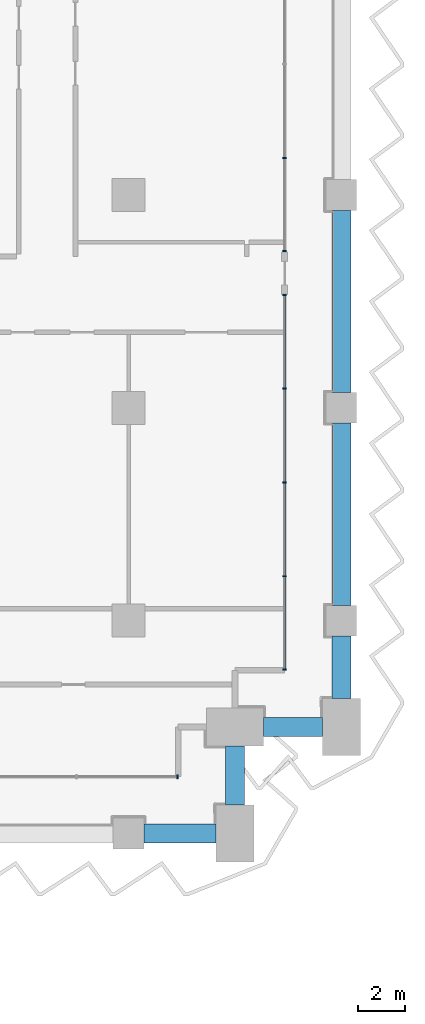
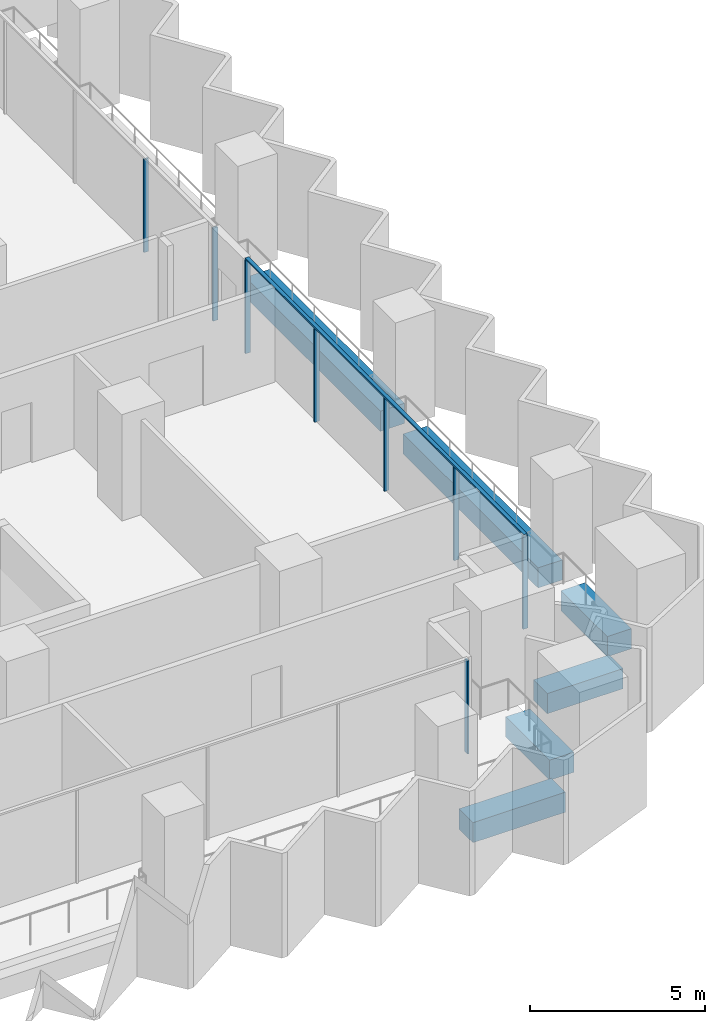
# One storey, part 6 of 29: 9 members, 6 beams, 3 elements without a shape of their own.
"""IFC4 building model written with IfcOpenShell, lengths in metres."""

from ifc_helpers import new_model, si_unit, direction, frame, origin, origin_2d, place, context, subcontext, project, spatial, rectangle, extrude, material, material_profile, profile_set, type_object, element, aggregate, save


model = new_model("IFC4")

# Units and contexts
model_context = context("Model", 3, precision=1e-05, world=origin(), true_north=direction((0.0, 1.0)))
body_context = subcontext(model_context, "Body", "Model", "MODEL_VIEW")
ifc_project = project(units=[si_unit("LENGTHUNIT", "METRE"), si_unit("AREAUNIT", "SQUARE_METRE"), si_unit("VOLUMEUNIT", "CUBIC_METRE"), si_unit("PLANEANGLEUNIT", "RADIAN"), si_unit("MASSUNIT", "GRAM", prefix="KILO")], contexts=[model_context])

# Site, building, storey
site_placement = place(None, origin())
site = spatial("IfcSite", under=ifc_project, at=site_placement, CompositionType="ELEMENT")
building_placement = place(site_placement, origin())
building = spatial("IfcBuilding", under=site, at=building_placement, Name="Hunhe Ridgeline Campus", CompositionType="ELEMENT")
storey_placement = place(building_placement, frame((0.0, 0.0, 69.10009765625)))
storey = spatial("IfcBuildingStorey", under=building, at=storey_placement, Name="L16", CompositionType="ELEMENT", Elevation=69.10009765625)

# Curtain wall, member
ifc_material_1 = material(Name="Aluminium 6063", Category="aluminium")
curtain_wall_type = type_object("IfcCurtainWallType", Name="Curtain wall CW-1", PredefinedType="NOTDEFINED", material=ifc_material_1)
curtain_wall_1_placement = place(storey_placement, origin())
curtain_wall_1 = element("IfcCurtainWall", 1, at=curtain_wall_1_placement, inside=storey, type_object=curtain_wall_type, Name="Curtain wall 13", PredefinedType="NOTDEFINED")
ifc_material_profile_1 = material_profile(ifc_material_1, rectangle(XDim=0.159912109375, YDim=0.06005859375, at=origin_2d()))
ifc_profile_set_1 = profile_set([ifc_material_profile_1], Name="Aluminium 6063")
member_type_1 = type_object("IfcMemberType", Name="CW-1 aluminium mullion", PredefinedType="MULLION", material=ifc_profile_set_1)
member_1_placement = place(storey_placement, frame((92.069091796875, 56.40087890625, 0.0), z_axis=(0.0, 0.0, 1.0), x_axis=(-3.602063e-06, 0.999999999994, 0.0)))
member_1 = element("IfcMember", 2, at=member_1_placement, type_object=member_type_1, Name="CW-1 mullion 9", PredefinedType="MULLION", context=body_context, shape_type="SweptSolid", body=[
    extrude(rectangle(XDim=0.159912109375, YDim=0.06005859375, at=origin_2d()), origin(), (0.0, 0.0, 1.0), 3.239990234375),
])
aggregate(curtain_wall_1, [member_1])

# Curtain wall, members
curtain_wall_2_placement = place(storey_placement, origin())
curtain_wall_2 = element("IfcCurtainWall", 3, at=curtain_wall_2_placement, inside=storey, type_object=curtain_wall_type, Name="Curtain wall 14", PredefinedType="NOTDEFINED")
member_2_placement = place(storey_placement, frame((96.59912109375, 60.930908203125, 0.0), z_axis=(0.0, 0.0, 1.0), x_axis=(-1.0, 0.0, 0.0)))
member_2 = element("IfcMember", 4, at=member_2_placement, type_object=member_type_1, Name="CW-1 mullion 1", PredefinedType="MULLION", context=body_context, shape_type="SweptSolid", body=[
    extrude(rectangle(XDim=0.159912109375, YDim=0.06005859375, at=origin_2d()), origin(), (0.0, 0.0, 1.0), 3.239990234375),
])
member_3_placement = place(storey_placement, frame((96.59912109375, 64.8759765625, 0.0), z_axis=(0.0, 0.0, 1.0), x_axis=(-1.0, 0.0, 0.0)))
member_3 = element("IfcMember", 5, at=member_3_placement, type_object=member_type_1, Name="CW-1 mullion 2", PredefinedType="MULLION", context=body_context, shape_type="SweptSolid", body=[
    extrude(rectangle(XDim=0.159912109375, YDim=0.06005859375, at=origin_2d()), origin(), (0.0, 0.0, 1.0), 3.239990234375),
])
member_4_placement = place(storey_placement, frame((96.59912109375, 68.850830078125, 0.0), z_axis=(0.0, 0.0, 1.0), x_axis=(-1.0, 0.0, 0.0)))
member_4 = element("IfcMember", 6, at=member_4_placement, type_object=member_type_1, Name="CW-1 mullion 3", PredefinedType="MULLION", context=body_context, shape_type="SweptSolid", body=[
    extrude(rectangle(XDim=0.159912109375, YDim=0.06005859375, at=origin_2d()), origin(), (0.0, 0.0, 1.0), 3.239990234375),
])
member_5_placement = place(storey_placement, frame((96.59912109375, 72.82568359375, 0.0), z_axis=(0.0, 0.0, 1.0), x_axis=(-1.0, 0.0, 0.0)))
member_5 = element("IfcMember", 7, at=member_5_placement, type_object=member_type_1, Name="CW-1 mullion 4", PredefinedType="MULLION", context=body_context, shape_type="SweptSolid", body=[
    extrude(rectangle(XDim=0.159912109375, YDim=0.06005859375, at=origin_2d()), origin(), (0.0, 0.0, 1.0), 3.239990234375),
])
member_6_placement = place(storey_placement, frame((96.59912109375, 76.7705078125, 0.0), z_axis=(0.0, 0.0, 1.0), x_axis=(-1.0, 0.0, 0.0)))
member_6 = element("IfcMember", 8, at=member_6_placement, type_object=member_type_1, Name="CW-1 mullion 5", PredefinedType="MULLION", context=body_context, shape_type="SweptSolid", body=[
    extrude(rectangle(XDim=0.159912109375, YDim=0.06005859375, at=origin_2d()), origin(), (0.0, 0.0, 1.0), 3.239990234375),
])

curtain_wall_3_placement = place(storey_placement, origin())
curtain_wall_3 = element("IfcCurtainWall", 9, at=curtain_wall_3_placement, inside=storey, type_object=curtain_wall_type, Name="Curtain wall 15", PredefinedType="NOTDEFINED")
member_7_placement = place(storey_placement, frame((96.59912109375, 78.630615234375, 0.0), z_axis=(0.0, 0.0, 1.0), x_axis=(-1.0, 0.0, 0.0)))
member_7 = element("IfcMember", 10, at=member_7_placement, type_object=member_type_1, Name="CW-1 mullion 1", PredefinedType="MULLION", context=body_context, shape_type="SweptSolid", body=[
    extrude(rectangle(XDim=0.159912109375, YDim=0.06005859375, at=origin_2d()), origin(), (0.0, 0.0, 1.0), 3.239990234375),
])
member_8_placement = place(storey_placement, frame((96.59912109375, 82.575439453125, 0.0), z_axis=(0.0, 0.0, 1.0), x_axis=(-1.0, 0.0, 0.0)))
member_8 = element("IfcMember", 11, at=member_8_placement, type_object=member_type_1, Name="CW-1 mullion 2", PredefinedType="MULLION", context=body_context, shape_type="SweptSolid", body=[
    extrude(rectangle(XDim=0.159912109375, YDim=0.06005859375, at=origin_2d()), origin(), (0.0, 0.0, 1.0), 3.239990234375),
])
aggregate(curtain_wall_3, [member_7, member_8])

# Member
ifc_material_profile_2 = material_profile(ifc_material_1, rectangle(XDim=0.1201171875, YDim=0.06005859375, at=origin_2d()))
ifc_profile_set_2 = profile_set([ifc_material_profile_2], Name="Aluminium 6063")
member_type_2 = type_object("IfcMemberType", Name="CW-1 aluminium transom", PredefinedType="USERDEFINED", material=ifc_profile_set_2)
member_9_placement = place(storey_placement, frame((96.59912109375, 60.90087890625, 3.27001953125), z_axis=(0.0, 1.0, 0.0), x_axis=(-1.0, 0.0, 0.0)))
member_9 = element("IfcMember", 12, at=member_9_placement, type_object=member_type_2, Name="CW-1 transom 1", ObjectType="TRANSOM", PredefinedType="USERDEFINED", context=body_context, shape_type="SweptSolid", body=[
    extrude(rectangle(XDim=0.1201171875, YDim=0.06005859375, at=origin_2d()), origin(), (0.0, 0.0, 1.0), 15.899658203125),
])

aggregate(curtain_wall_2, [member_9, member_2, member_3, member_4, member_5, member_6])

# Beams
ifc_material_2 = material(Name="Concrete C60", Category="concrete")
ifc_material_profile_3 = material_profile(ifc_material_2, rectangle(XDim=0.800048828125, YDim=0.699951171875, at=origin_2d()))
ifc_profile_set_3 = profile_set([ifc_material_profile_3], Name="Concrete C60")
beam_type = type_object("IfcBeamType", Name="RC spandrel beam 800x700 Concrete C60", PredefinedType="SPANDREL", material=ifc_profile_set_3)
beam_1_placement = place(storey_placement, frame((90.64990234375, 54.0, -0.60009765625), z_axis=(1.0, 0.0, 0.0), x_axis=(0.0, 1.0, 0.0)))
element("IfcBeam", 13, at=beam_1_placement, inside=storey, type_object=beam_type, Name="Spandrel beam B1-17 L16", PredefinedType="SPANDREL", context=body_context, shape_type="SweptSolid", body=[
    extrude(rectangle(XDim=0.800048828125, YDim=0.699951171875, at=origin_2d()), origin(), (0.0, 0.0, 1.0), 3.050048828125),
])
for number, where, z_axis, x_axis, name in (
    (14, (94.5, 55.199951171875, -0.60009765625), (0.0, 1.0, 0.0), (-1.0, 0.0, 0.0), "Spandrel beam B1-18 L16"),
    (15, (95.699951171875, 58.5, -0.60009765625), (1.0, 0.0, 0.0), (0.0, 1.0, 0.0), "Spandrel beam B1-19 L16"),
):
    element("IfcBeam", number, at=place(storey_placement, frame(where, z_axis=z_axis, x_axis=x_axis)), inside=storey, type_object=beam_type, Name=name, PredefinedType="SPANDREL", context=body_context, shape_type="SweptSolid", body=[
        extrude(rectangle(XDim=0.800048828125, YDim=0.699951171875, at=origin_2d()), origin(), (0.0, 0.0, 1.0), 2.5),
    ])
beam_2_placement = place(storey_placement, frame((99.0, 59.699951171875, -0.60009765625), z_axis=(0.0, 1.0, 0.0), x_axis=(-1.0, 0.0, 0.0)))
element("IfcBeam", 16, at=beam_2_placement, inside=storey, type_object=beam_type, Name="Spandrel beam B1-20 L16", PredefinedType="SPANDREL", context=body_context, shape_type="SweptSolid", body=[
    extrude(rectangle(XDim=0.800048828125, YDim=0.699951171875, at=origin_2d()), origin(), (0.0, 0.0, 1.0), 2.650146484375),
])
for number, where, z_axis, x_axis, name in (
    (17, (99.0, 63.64990234375, -0.60009765625), (0.0, 1.0, 0.0), (-1.0, 0.0, 0.0), "Spandrel beam B1-21 L16"),
    (18, (99.0, 72.64990234375, -0.60009765625), (0.0, 1.0, 0.0), (-1.0, 0.0, 0.0), "Spandrel beam B1-22 L16"),
):
    element("IfcBeam", number, at=place(storey_placement, frame(where, z_axis=z_axis, x_axis=x_axis)), inside=storey, type_object=beam_type, Name=name, PredefinedType="SPANDREL", context=body_context, shape_type="SweptSolid", body=[
        extrude(rectangle(XDim=0.800048828125, YDim=0.699951171875, at=origin_2d()), origin(), (0.0, 0.0, 1.0), 7.7001953125),
    ])

save(model, "model.ifc")
